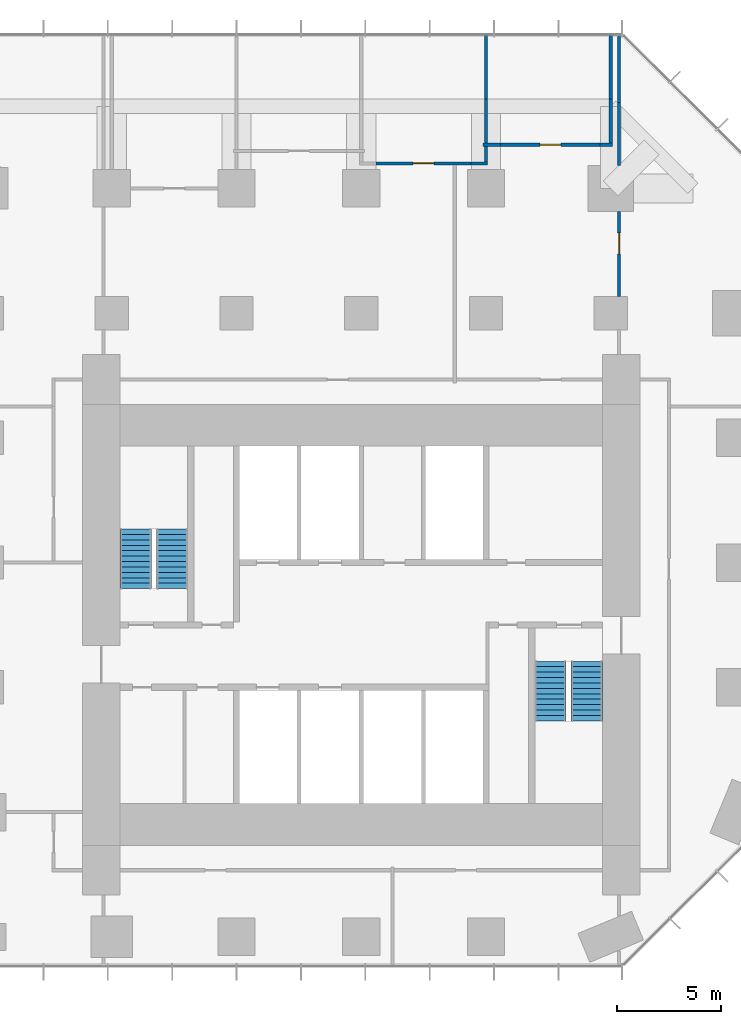
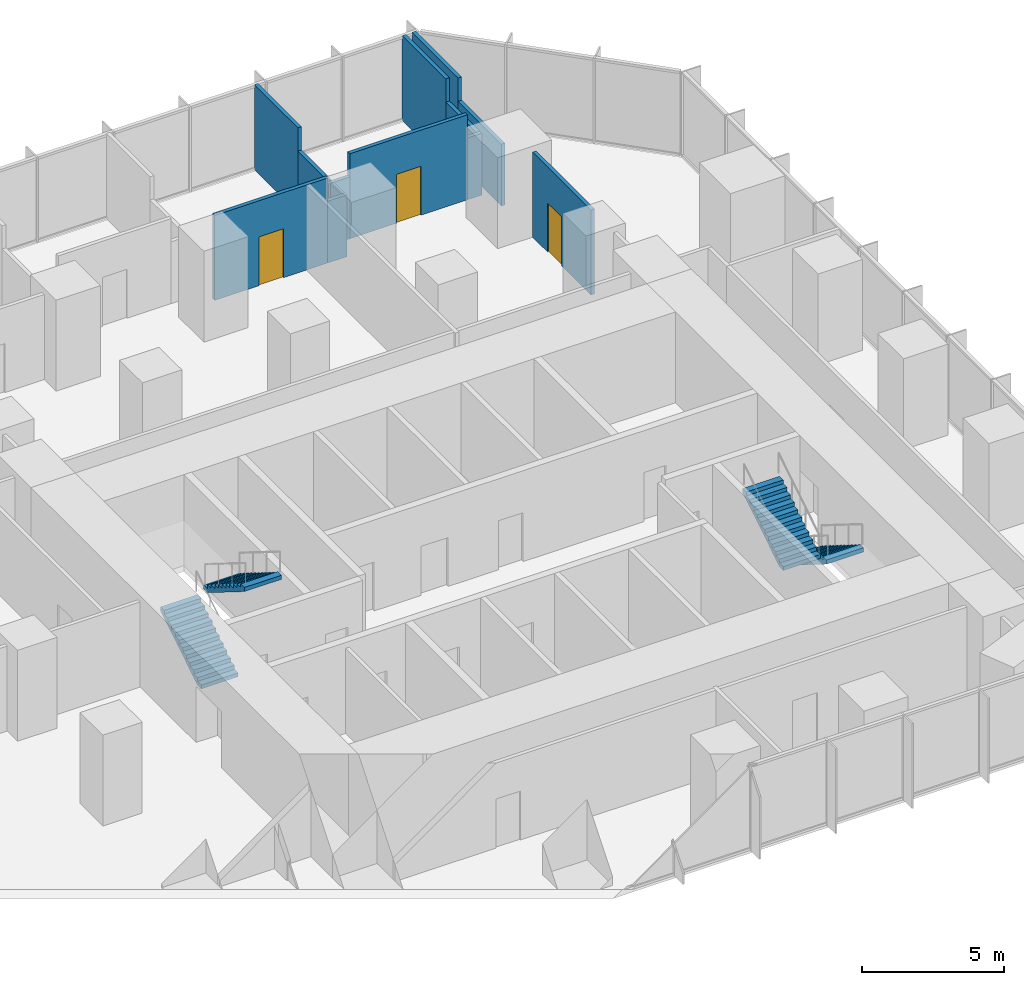
# One storey, part 10 of 11: 13 walls, 4 stair flights, 3 doors, 3 openings, 2 elements without a shape of their own.
"""IFC4 building model written with IfcOpenShell, lengths in metres."""

import ifcopenshell
import ifcopenshell.guid

model = None  # the IFC model being written
_history = None  # IfcOwnerHistory: only IFC2X3 demands one
_inside = {}  # id of a spatial element -> (the spatial element, [elements in it])
_under = {}  # id of a project, library or spatial element -> (it, [spatial elements below it])
_declared = {}  # id of a project -> (the project, [libraries it declares])
_typed = {}  # id of a type object -> (the type object, [elements of that type])
_made_of = {}  # id of a material, layer set ... -> (it, [elements and type objects made of it])


def new_model(schema):
    """Start an empty IFC model of exactly this schema.

    Asked for "IFC4X3", IfcOpenShell would pick the latest addendum, in which some entities
    have other attributes; the version numbers below select the first issue.
    IFC2X3 requires an IfcOwnerHistory on every rooted entity: one is made here for all.
    """
    global model, _history
    if schema == "IFC4X3":
        model = ifcopenshell.file(schema_version=(4, 3, 0, 0))
    else:
        model = ifcopenshell.file(schema=schema)
    _inside.clear()
    _under.clear()
    _declared.clear()
    _typed.clear()
    _made_of.clear()
    _history = None
    if model.schema == "IFC2X3":
        org = make("IfcOrganization", Name="unknown")
        user = make(
            "IfcPersonAndOrganization",
            ThePerson=make("IfcPerson", FamilyName="unknown"),
            TheOrganization=org,
        )
        app = make(
            "IfcApplication",
            ApplicationDeveloper=org,
            Version="unknown",
            ApplicationFullName="unknown",
            ApplicationIdentifier="unknown",
        )
        _history = make(
            "IfcOwnerHistory",
            OwningUser=user,
            OwningApplication=app,
            ChangeAction="ADDED",
            CreationDate=0,
        )
    return model


def make(cls, **values):
    """One entity of the class cls with the attributes given. An attribute that is None is left unset."""
    return model.create_entity(
        cls, **{name: value for name, value in values.items() if value is not None}
    )


def rooted(cls, **values):
    """An entity with a GlobalId (a new one), such as an element, a storey or a relation."""
    return make(cls, GlobalId=ifcopenshell.guid.new(), OwnerHistory=_history, **values)


def si_unit(unit_type, name, prefix=None):
    """IfcSIUnit, for example si_unit("LENGTHUNIT", "METRE", prefix="MILLI")."""
    return make("IfcSIUnit", UnitType=unit_type, Prefix=prefix, Name=name)


def assignment(units):
    """IfcUnitAssignment: the units of a project."""
    return None if units is None else make("IfcUnitAssignment", Units=units)


def point(xyz):
    """IfcCartesianPoint."""
    return None if xyz is None else make("IfcCartesianPoint", Coordinates=xyz)


def direction(xyz):
    """IfcDirection."""
    return None if xyz is None else make("IfcDirection", DirectionRatios=xyz)


def frame(location, z_axis=None, x_axis=None):
    """IfcAxis2Placement3D, a coordinate frame: its origin and axes. An axis left out is left unset."""
    return make(
        "IfcAxis2Placement3D",
        Location=point(location),
        Axis=direction(z_axis),
        RefDirection=direction(x_axis),
    )


def frame_2d(location, x_axis=None):
    """IfcAxis2Placement2D, a coordinate frame in the plane: its origin and x axis."""
    return make(
        "IfcAxis2Placement2D", Location=point(location), RefDirection=direction(x_axis)
    )


def origin():
    """The frame at (0, 0, 0) with its axes left unset."""
    return frame((0.0, 0.0, 0.0))


def place(relative_to, where):
    """IfcLocalPlacement: puts the frame where relative to a parent placement (None: the world)."""
    return make(
        "IfcLocalPlacement", PlacementRelTo=relative_to, RelativePlacement=where
    )


def context(
    kind, dimensions, precision=None, world=None, true_north=None, identifier=None
):
    """IfcGeometricRepresentationContext, for example the 3D "Model" context."""
    return make(
        "IfcGeometricRepresentationContext",
        ContextIdentifier=identifier,
        ContextType=kind,
        CoordinateSpaceDimension=dimensions,
        Precision=precision,
        WorldCoordinateSystem=world,
        TrueNorth=true_north,
    )


def subcontext(parent, identifier, kind, view, scale=None):
    """IfcGeometricRepresentationSubContext, for example "Body" below "Model"."""
    return make(
        "IfcGeometricRepresentationSubContext",
        ContextIdentifier=identifier,
        ContextType=kind,
        ParentContext=parent,
        TargetScale=scale,
        TargetView=view,
    )


def project(units=None, contexts=None):
    """IfcProject with its units and contexts."""
    return rooted(
        "IfcProject",
        Name="project",
        RepresentationContexts=contexts,
        UnitsInContext=assignment(units),
    )


def spatial(cls, under=None, at=None, **own):
    """A site, building, storey or space (cls), placed at a placement, below another one or the project."""
    s = rooted(cls, ObjectPlacement=at, **own)
    if under is not None:
        _under.setdefault(under.id(), (under, []))[1].append(s)
    return s


def polyline(points):
    """IfcPolyline through the points."""
    return make("IfcPolyline", Points=[point(p) for p in points])


def profile(cls, at=None, kind="AREA", **sizes):
    """A parametric profile (cls). Its sizes go by their IFC names, for example OverallWidth=200.0."""
    return make(cls, ProfileType=kind, Position=at, **sizes)


def rectangle(**sizes):
    """IfcRectangleProfileDef."""
    return profile("IfcRectangleProfileDef", **sizes)


def outline(outer, holes=None, kind="AREA"):
    """IfcArbitraryClosedProfileDef: a profile drawn as a closed curve; with holes, ...WithVoids."""
    if holes is None:
        return make("IfcArbitraryClosedProfileDef", ProfileType=kind, OuterCurve=outer)
    return make(
        "IfcArbitraryProfileDefWithVoids",
        ProfileType=kind,
        OuterCurve=outer,
        InnerCurves=holes,
    )


def extrude(swept, where, along, depth):
    """IfcExtrudedAreaSolid: the profile swept, set in the frame where, extruded along a direction by depth."""
    return make(
        "IfcExtrudedAreaSolid",
        SweptArea=swept,
        Position=where,
        ExtrudedDirection=direction(along),
        Depth=depth,
    )


def shape(context_of_items, identifier, shape_type, items):
    """IfcShapeRepresentation: the items that make up one representation, for example the "Body"."""
    return make(
        "IfcShapeRepresentation",
        ContextOfItems=context_of_items,
        RepresentationIdentifier=identifier,
        RepresentationType=shape_type,
        Items=items,
    )


def material(Name=None, Category=None):
    """IfcMaterial."""
    return make("IfcMaterial", Name=Name, Category=Category)


def layer(
    of_material, thickness, ventilated=None, Name=None, Category=None, Priority=None
):
    """IfcMaterialLayer: one layer of a wall or slab, of a material (None: an air gap)."""
    return make(
        "IfcMaterialLayer",
        Material=of_material,
        LayerThickness=thickness,
        IsVentilated=ventilated,
        Name=Name,
        Category=Category,
        Priority=Priority,
    )


def layer_set(layers, Name=None):
    """IfcMaterialLayerSet."""
    return make("IfcMaterialLayerSet", MaterialLayers=layers, LayerSetName=Name)


def made_of(thing, what):
    """Note that an element or type object is made of a material, layer set ...; save() writes the relation."""
    if what is not None:
        _made_of.setdefault(what.id(), (what, []))[1].append(thing)
    return thing


def type_object(cls, material=None, **own):
    """A type object (cls), such as IfcWallType, which elements share."""
    return made_of(rooted(cls, **own), material)


def element(
    cls,
    number,
    at=None,
    inside=None,
    cuts=None,
    type_object=None,
    material=None,
    context=None,
    identifier="Body",
    shape_type=None,
    held_by="IfcProductDefinitionShape",
    body=None,
    shapes=None,
    **own,
):
    """One element of the class cls, such as IfcWall. Its Tag is "e" and its number.

    at: its placement. inside: the storey or other place that contains it. cuts: it is an
    opening in that element (IfcRelVoidsElement). A single representation is given by context,
    identifier, shape_type and body (its items); several are given by shapes. held_by: the class
    of the entity that holds the representations. save() writes the other relations.
    """
    e = rooted(cls, Tag="e%d" % number, ObjectPlacement=at, **own)
    if body is not None:
        shapes = [shape(context, identifier, shape_type, body)]
    if shapes is not None:
        e.Representation = make(held_by, Representations=shapes)
    if inside is not None:
        _inside.setdefault(inside.id(), (inside, []))[1].append(e)
    if cuts is not None:
        rooted(
            "IfcRelVoidsElement", RelatingBuildingElement=cuts, RelatedOpeningElement=e
        )
    if type_object is not None:
        _typed.setdefault(type_object.id(), (type_object, []))[1].append(e)
    return made_of(e, material)


def fill(opening, filler):
    """IfcRelFillsElement: the door or window that sits in an opening."""
    return rooted(
        "IfcRelFillsElement",
        RelatingOpeningElement=opening,
        RelatedBuildingElement=filler,
    )


def aggregate(whole, parts):
    """IfcRelAggregates: a whole, such as a stair, and the parts it consists of."""
    return rooted("IfcRelAggregates", RelatingObject=whole, RelatedObjects=parts)


def save(model, path):
    """Write the relations noted so far, then the file.

    IfcRelAggregates (storeys below a building ...), IfcRelContainedInSpatialStructure (elements
    in a storey), IfcRelDefinesByType, IfcRelAssociatesMaterial and IfcRelDeclares: one each for
    every whole, place, type object, material and project.
    """
    for whole, parts in _under.values():
        aggregate(whole, parts)
    for where, things in _inside.values():
        rooted(
            "IfcRelContainedInSpatialStructure",
            RelatedElements=things,
            RelatingStructure=where,
        )
    for kind, things in _typed.values():
        rooted("IfcRelDefinesByType", RelatedObjects=things, RelatingType=kind)
    for what, things in _made_of.values():
        rooted("IfcRelAssociatesMaterial", RelatedObjects=things, RelatingMaterial=what)
    for by, libraries in _declared.values():
        rooted("IfcRelDeclares", RelatingContext=by, RelatedDefinitions=libraries)
    model.write(path)


model = new_model("IFC4")

# Units and contexts
model_context = context("Model", 3, precision=1e-05, world=origin(), true_north=direction((0.0, 1.0)))
body_context = subcontext(model_context, "Body", "Model", "MODEL_VIEW")
ifc_project = project(units=[si_unit("LENGTHUNIT", "METRE"), si_unit("AREAUNIT", "SQUARE_METRE"), si_unit("VOLUMEUNIT", "CUBIC_METRE"), si_unit("PLANEANGLEUNIT", "RADIAN"), si_unit("MASSUNIT", "GRAM", prefix="KILO")], contexts=[model_context])

# Site, building, storey
site_placement = place(None, origin())
site = spatial("IfcSite", under=ifc_project, at=site_placement, CompositionType="ELEMENT")
building_placement = place(site_placement, origin())
building = spatial("IfcBuilding", under=site, at=building_placement, Name="Highveld Stack Headquarters", CompositionType="ELEMENT")
storey_placement = place(building_placement, frame((0.0, 0.0, 93.800048828125)))
storey = spatial("IfcBuildingStorey", under=building, at=storey_placement, Name="L22", CompositionType="ELEMENT", Elevation=93.800048828125)

# Wall, opening, door
ifc_material_1 = material(Name="Gypsum plasterboard on steel studs", Category="steel")
ifc_layer = layer(ifc_material_1, 0.14990234375)
ifc_layer_set = layer_set([ifc_layer], Name="Gypsum plasterboard on steel studs")
wall_type = type_object("IfcWallType", Name="PARTITION 150 PLASTERBOARD", PredefinedType="PARTITIONING", material=ifc_layer_set)
wall_1_placement = place(storey_placement, frame((6.7099609375, 25.199951171875, 0.0), z_axis=(0.0, 0.0, 1.0), x_axis=(1.0, 0.0, 0.0)))
wall_1 = element("IfcWall", 1, at=wall_1_placement, inside=storey, type_object=wall_type, Name="Partition Tea kitchen L22", PredefinedType="PARTITIONING", context=body_context, shape_type="SweptSolid", body=[
    extrude(rectangle(XDim=4.580078125, YDim=0.14990234375, at=frame_2d((2.2900390625, 0.0))), origin(), (0.0, 0.0, 1.0), 3.64990234375),
])
opening_1_placement = place(wall_1_placement, frame((1.7900390625, 0.0, 0.0)))
opening_1 = element("IfcOpeningElement", 2, at=opening_1_placement, cuts=wall_1, Name="Opening L22-15", PredefinedType="OPENING", context=body_context, shape_type="SweptSolid", body=[
    extrude(rectangle(XDim=1.0, YDim=2.10009765625, at=frame_2d((0.5, 1.050048828125))), frame((0.0, 0.0849609375, 0.0), z_axis=(0.0, -1.0, 0.0), x_axis=(1.0, 0.0, 0.0)), (0.0, 0.0, 1.0), 0.169921875),
])
ifc_material_2 = material(Name="Timber door, oiled ash", Category="wood")
door_type = type_object("IfcDoorType", Name="ROOM DOOR D6 1000x2100", OperationType="SINGLE_SWING_LEFT", PredefinedType="DOOR", material=ifc_material_2)
door_1_placement = place(opening_1_placement, origin())
door_1 = element("IfcDoor", 3, at=door_1_placement, inside=storey, type_object=door_type, Name="Tea kitchen door 1 L22", OperationType="SINGLE_SWING_LEFT", OverallHeight=2.10009765625, OverallWidth=1.0, PredefinedType="DOOR", context=body_context, shape_type="SweptSolid", body=[
    extrude(rectangle(XDim=1.0, YDim=2.10009765625, at=frame_2d((0.5, 1.050048828125))), frame((0.0, 0.02490234375, 0.0), z_axis=(0.0, -1.0, 0.0), x_axis=(1.0, 0.0, 0.0)), (0.0, 0.0, 1.0), 0.050048828125),
])
fill(opening_1, door_1)

# Walls
wall_2_placement = place(storey_placement, frame((11.2900390625, 25.199951171875, 0.0), z_axis=(0.0, 0.0, 1.0), x_axis=(1.0, 0.0, 0.0)))
element("IfcWall", 4, at=wall_2_placement, inside=storey, type_object=wall_type, Name="Partition Tea kitchen L22", PredefinedType="PARTITIONING", context=body_context, shape_type="SweptSolid", body=[
    extrude(rectangle(XDim=0.784912109375, YDim=0.14990234375, at=frame_2d((0.392578125, 0.0))), origin(), (0.0, 0.0, 1.0), 2.64990234375),
])
wall_3_placement = place(storey_placement, frame((11.85009765625, 26.10009765625, 0.0), z_axis=(0.0, 0.0, 1.0), x_axis=(1.0, 0.0, 0.0)))
element("IfcWall", 5, at=wall_3_placement, inside=storey, type_object=wall_type, Name="Partition Focus room L22", PredefinedType="PARTITIONING", context=body_context, shape_type="SweptSolid", body=[
    extrude(rectangle(XDim=0.85986328125, YDim=0.14990234375, at=frame_2d((0.429931640625, 0.0))), origin(), (0.0, 0.0, 1.0), 2.64990234375),
])

# Wall, opening, door
wall_4_placement = place(storey_placement, frame((12.7099609375, 26.10009765625, 0.0), z_axis=(0.0, 0.0, 1.0), x_axis=(1.0, 0.0, 0.0)))
wall_4 = element("IfcWall", 6, at=wall_4_placement, inside=storey, type_object=wall_type, Name="Partition Focus room L22", PredefinedType="PARTITIONING", context=body_context, shape_type="SweptSolid", body=[
    extrude(rectangle(XDim=4.780029296875, YDim=0.14990234375, at=frame_2d((2.39013671875, 0.0))), origin(), (0.0, 0.0, 1.0), 3.64990234375),
])
opening_2_placement = place(wall_4_placement, frame((1.889892578125, 0.0, 0.0)))
opening_2 = element("IfcOpeningElement", 7, at=opening_2_placement, cuts=wall_4, Name="Opening L22-16", PredefinedType="OPENING", context=body_context, shape_type="SweptSolid", body=[
    extrude(rectangle(XDim=1.0, YDim=2.10009765625, at=frame_2d((0.5, 1.050048828125))), frame((0.0, 0.0849609375, 0.0), z_axis=(0.0, -1.0, 0.0), x_axis=(1.0, 0.0, 0.0)), (0.0, 0.0, 1.0), 0.169921875),
])
door_2_placement = place(opening_2_placement, origin())
door_2 = element("IfcDoor", 8, at=door_2_placement, inside=storey, type_object=door_type, Name="Focus room door 1 L22", OperationType="SINGLE_SWING_RIGHT", OverallHeight=2.10009765625, OverallWidth=1.0, PredefinedType="DOOR", context=body_context, shape_type="SweptSolid", body=[
    extrude(rectangle(XDim=1.0, YDim=2.10009765625, at=frame_2d((0.5, 1.050048828125))), frame((0.0, 0.02490234375, 0.0), z_axis=(0.0, -1.0, 0.0), x_axis=(1.0, 0.0, 0.0)), (0.0, 0.0, 1.0), 0.050048828125),
])
fill(opening_2, door_2)

# Walls
wall_5_placement = place(storey_placement, frame((17.489990234375, 26.10009765625, 0.0), z_axis=(0.0, 0.0, 1.0), x_axis=(1.0, 0.0, 0.0)))
element("IfcWall", 9, at=wall_5_placement, inside=storey, type_object=wall_type, Name="Partition Focus room L22", PredefinedType="PARTITIONING", context=body_context, shape_type="SweptSolid", body=[
    extrude(rectangle(XDim=0.5849609375, YDim=0.14990234375, at=frame_2d((0.29248046875, 0.0))), origin(), (0.0, 0.0, 1.0), 2.64990234375),
])
wall_6_placement = place(storey_placement, frame((12.0, 25.27490234375, 0.0), z_axis=(0.0, 0.0, 1.0), x_axis=(0.0, 1.0, 0.0)))
element("IfcWall", 10, at=wall_6_placement, inside=storey, type_object=wall_type, Name="Partition Tea kitchen L22", PredefinedType="PARTITIONING", context=body_context, shape_type="SweptSolid", body=[
    extrude(rectangle(XDim=0.75, YDim=0.14990234375, at=frame_2d((0.375, 0.0))), origin(), (0.0, 0.0, 1.0), 2.64990234375),
])
wall_7_placement = place(storey_placement, frame((12.0, 26.175048828125, 0.0), z_axis=(0.0, 0.0, 1.0), x_axis=(0.0, 1.0, 0.0)))
element("IfcWall", 11, at=wall_7_placement, inside=storey, type_object=wall_type, Name="Partition Focus room / Tea kitchen L22", PredefinedType="PARTITIONING", context=body_context, shape_type="SweptSolid", body=[
    extrude(rectangle(XDim=2.135009765625, YDim=0.14990234375, at=frame_2d((1.0673828125, 0.0))), origin(), (0.0, 0.0, 1.0), 2.64990234375),
])
wall_8_placement = place(storey_placement, frame((12.0, 28.31005859375, 0.0), z_axis=(0.0, 0.0, 1.0), x_axis=(0.0, 1.0, 0.0)))
element("IfcWall", 12, at=wall_8_placement, inside=storey, type_object=wall_type, Name="Partition Focus room / Tea kitchen L22", PredefinedType="PARTITIONING", context=body_context, shape_type="SweptSolid", body=[
    extrude(rectangle(XDim=3.06494140625, YDim=0.14990234375, at=frame_2d((1.532470703125, 0.0))), origin(), (0.0, 0.0, 1.0), 3.64990234375),
])
wall_9_placement = place(storey_placement, frame((18.0, 26.175048828125, 0.0), z_axis=(0.0, 0.0, 1.0), x_axis=(0.0, 1.0, 0.0)))
element("IfcWall", 13, at=wall_9_placement, inside=storey, type_object=wall_type, Name="Partition Focus room L22", PredefinedType="PARTITIONING", context=body_context, shape_type="SweptSolid", body=[
    extrude(rectangle(XDim=2.135009765625, YDim=0.14990234375, at=frame_2d((1.0673828125, 0.0))), origin(), (0.0, 0.0, 1.0), 2.64990234375),
])
wall_10_placement = place(storey_placement, frame((18.0, 28.31005859375, 0.0), z_axis=(0.0, 0.0, 1.0), x_axis=(0.0, 1.0, 0.0)))
element("IfcWall", 14, at=wall_10_placement, inside=storey, type_object=wall_type, Name="Partition Focus room L22", PredefinedType="PARTITIONING", context=body_context, shape_type="SweptSolid", body=[
    extrude(rectangle(XDim=3.06494140625, YDim=0.14990234375, at=frame_2d((1.532470703125, 0.0))), origin(), (0.0, 0.0, 1.0), 3.64990234375),
])

# Wall, opening, door
wall_11_placement = place(storey_placement, frame((18.39990234375, 18.800048828125, 0.0), z_axis=(0.0, 0.0, 1.0), x_axis=(0.0, 1.0, 0.0)))
wall_11 = element("IfcWall", 15, at=wall_11_placement, inside=storey, type_object=wall_type, Name="Partition office neighbourhood L22", PredefinedType="PARTITIONING", context=body_context, shape_type="SweptSolid", body=[
    extrude(rectangle(XDim=4.099853515625, YDim=0.14990234375, at=frame_2d((2.0498046875, 0.0))), origin(), (0.0, 0.0, 1.0), 3.64990234375),
])
opening_3_placement = place(wall_11_placement, frame((2.054931640625, 0.0, 0.0)))
opening_3 = element("IfcOpeningElement", 16, at=opening_3_placement, cuts=wall_11, Name="Opening L22-24", PredefinedType="OPENING", context=body_context, shape_type="SweptSolid", body=[
    extrude(rectangle(XDim=1.0, YDim=2.10009765625, at=frame_2d((0.5, 1.050048828125))), frame((0.0, 0.0849609375, 0.0), z_axis=(0.0, -1.0, 0.0), x_axis=(1.0, 0.0, 0.0)), (0.0, 0.0, 1.0), 0.169921875),
])
door_3_placement = place(opening_3_placement, origin())
door_3 = element("IfcDoor", 17, at=door_3_placement, inside=storey, type_object=door_type, Name="Office neighbourhood door L22", OperationType="SINGLE_SWING_RIGHT", OverallHeight=2.10009765625, OverallWidth=1.0, PredefinedType="DOOR", context=body_context, shape_type="SweptSolid", body=[
    extrude(rectangle(XDim=1.0, YDim=2.10009765625, at=frame_2d((0.5, 1.050048828125))), frame((0.0, 0.02490234375, 0.0), z_axis=(0.0, -1.0, 0.0), x_axis=(1.0, 0.0, 0.0)), (0.0, 0.0, 1.0), 0.050048828125),
])
fill(opening_3, door_3)

# Walls
wall_12_placement = place(storey_placement, frame((18.39990234375, 25.10009765625, 0.0), z_axis=(0.0, 0.0, 1.0), x_axis=(0.0, 1.0, 0.0)))
element("IfcWall", 18, at=wall_12_placement, inside=storey, type_object=wall_type, Name="Partition office neighbourhood L22", PredefinedType="PARTITIONING", context=body_context, shape_type="SweptSolid", body=[
    extrude(rectangle(XDim=3.039794921875, YDim=0.14990234375, at=frame_2d((1.52001953125, 0.0))), origin(), (0.0, 0.0, 1.0), 2.64990234375),
])
wall_13_placement = place(storey_placement, frame((18.39990234375, 28.139892578125, 0.0), z_axis=(0.0, 0.0, 1.0), x_axis=(0.0, 1.0, 0.0)))
element("IfcWall", 19, at=wall_13_placement, inside=storey, type_object=wall_type, Name="Partition office neighbourhood L22", PredefinedType="PARTITIONING", context=body_context, shape_type="SweptSolid", body=[
    extrude(rectangle(XDim=3.235107421875, YDim=0.14990234375, at=frame_2d((1.61767578125, 0.0))), origin(), (0.0, 0.0, 1.0), 3.64990234375),
])

# Stair, stair flights
ifc_material_3 = material(Name="Concrete C40/50, precast", Category="concrete")
stair_type_1 = type_object("IfcStairType", Name="STAIR S1 HALF TURN 1500", PredefinedType="HALF_TURN_STAIR", material=ifc_material_3)
stair_1_placement = place(storey_placement, origin())
stair_1 = element("IfcStair", 20, at=stair_1_placement, inside=storey, type_object=stair_type_1, Name="Stair S1 L22", PredefinedType="HALF_TURN_STAIR")
ifc_material_4 = material(Name="Concrete C40/50, precast", Category="concrete")
stair_flight_type = type_object("IfcStairFlightType", Name="STAIR FLIGHT 1500 PRECAST", PredefinedType="STRAIGHT", material=ifc_material_4)
stair_flight_1_placement = place(storey_placement, frame((-4.85009765625, 4.75, 0.0), z_axis=(0.0, 0.0, 1.0), x_axis=(0.0, 1.0, 0.0)))
stair_flight_1 = element("IfcStairFlight", 21, at=stair_flight_1_placement, type_object=stair_flight_type, Name="S1 flight 1", NumberOfRisers=12, NumberOfTreads=11, PredefinedType="STRAIGHT", RiserHeight=0.1625, TreadLength=0.26, context=body_context, shape_type="SweptSolid", body=[
    extrude(outline(polyline([(0.0, 0.0), (0.0, 0.16259765625), (0.260009765625, 0.16259765625), (0.260009765625, 0.324951171875), (0.52001953125, 0.324951171875), (0.52001953125, 0.487548828125), (0.780029296875, 0.487548828125), (0.780029296875, 0.64990234375), (1.0400390625, 0.64990234375), (1.0400390625, 0.8125), (1.300048828125, 0.8125), (1.300048828125, 0.97509765625), (1.56005859375, 0.97509765625), (1.56005859375, 1.137451171875), (1.820068359375, 1.137451171875), (1.820068359375, 1.300048828125), (2.080078125, 1.300048828125), (2.080078125, 1.46240234375), (2.340087890625, 1.46240234375), (2.340087890625, 1.625), (2.60009765625, 1.625), (2.60009765625, 1.78759765625), (2.860107421875, 1.78759765625), (2.860107421875, 1.949951171875), (2.860107421875, 1.61083984375), (0.28271484375, 0.0), (0.0, 0.0)])), frame((0.0, 0.75, 0.0), z_axis=(0.0, -1.0, 0.0), x_axis=(1.0, 0.0, 0.0)), (0.0, 0.0, 1.0), 1.5),
])
stair_flight_2_placement = place(storey_placement, frame((-3.10009765625, 7.610107421875, 1.949951171875), z_axis=(0.0, 0.0, 1.0), x_axis=(0.0, -1.0, 0.0)))
stair_flight_2 = element("IfcStairFlight", 22, at=stair_flight_2_placement, type_object=stair_flight_type, Name="S1 flight 2", NumberOfRisers=12, NumberOfTreads=11, PredefinedType="STRAIGHT", RiserHeight=0.1625, TreadLength=0.26, context=body_context, shape_type="SweptSolid", body=[
    extrude(outline(polyline([(0.0, 0.0), (0.0, 0.16259765625), (0.260009765625, 0.16259765625), (0.260009765625, 0.324951171875), (0.52001953125, 0.324951171875), (0.52001953125, 0.487548828125), (0.780029296875, 0.487548828125), (0.780029296875, 0.64990234375), (1.0400390625, 0.64990234375), (1.0400390625, 0.8125), (1.300048828125, 0.8125), (1.300048828125, 0.97509765625), (1.56005859375, 0.97509765625), (1.56005859375, 1.137451171875), (1.820068359375, 1.137451171875), (1.820068359375, 1.300048828125), (2.080078125, 1.300048828125), (2.080078125, 1.46240234375), (2.340087890625, 1.46240234375), (2.340087890625, 1.625), (2.60009765625, 1.625), (2.60009765625, 1.78759765625), (2.860107421875, 1.78759765625), (2.860107421875, 1.949951171875), (2.860107421875, 1.61083984375), (0.28271484375, 0.0), (0.0, 0.0)])), frame((0.0, 0.75, 0.0), z_axis=(0.0, -1.0, 0.0), x_axis=(1.0, 0.0, 0.0)), (0.0, 0.0, 1.0), 1.5),
])
aggregate(stair_1, [stair_flight_1, stair_flight_2])

ifc_material_5 = material(Name="Concrete C40/50, precast", Category="concrete")
stair_type_2 = type_object("IfcStairType", Name="STAIR S2 HALF TURN 1500", PredefinedType="HALF_TURN_STAIR", material=ifc_material_5)
stair_2_placement = place(storey_placement, origin())
stair_2 = element("IfcStair", 23, at=stair_2_placement, inside=storey, type_object=stair_type_2, Name="Stair S2 L22", PredefinedType="HALF_TURN_STAIR")
stair_flight_3_placement = place(storey_placement, frame((16.85009765625, 1.25, 0.0), z_axis=(0.0, 0.0, 1.0), x_axis=(0.0, -1.0, 0.0)))
stair_flight_3 = element("IfcStairFlight", 24, at=stair_flight_3_placement, type_object=stair_flight_type, Name="S2 flight 1", NumberOfRisers=12, NumberOfTreads=11, PredefinedType="STRAIGHT", RiserHeight=0.1625, TreadLength=0.26, context=body_context, shape_type="SweptSolid", body=[
    extrude(outline(polyline([(0.0, 0.0), (0.0, 0.16259765625), (0.260009765625, 0.16259765625), (0.260009765625, 0.324951171875), (0.52001953125, 0.324951171875), (0.52001953125, 0.487548828125), (0.780029296875, 0.487548828125), (0.780029296875, 0.64990234375), (1.0400390625, 0.64990234375), (1.0400390625, 0.8125), (1.300048828125, 0.8125), (1.300048828125, 0.97509765625), (1.56005859375, 0.97509765625), (1.56005859375, 1.137451171875), (1.820068359375, 1.137451171875), (1.820068359375, 1.300048828125), (2.080078125, 1.300048828125), (2.080078125, 1.46240234375), (2.340087890625, 1.46240234375), (2.340087890625, 1.625), (2.60009765625, 1.625), (2.60009765625, 1.78759765625), (2.860107421875, 1.78759765625), (2.860107421875, 1.949951171875), (2.860107421875, 1.61083984375), (0.28271484375, 0.0), (0.0, 0.0)])), frame((0.0, 0.75, 0.0), z_axis=(0.0, -1.0, 0.0), x_axis=(1.0, 0.0, 0.0)), (0.0, 0.0, 1.0), 1.5),
])
stair_flight_4_placement = place(storey_placement, frame((15.10009765625, -1.610107421875, 1.949951171875), z_axis=(0.0, 0.0, 1.0), x_axis=(0.0, 1.0, 0.0)))
stair_flight_4 = element("IfcStairFlight", 25, at=stair_flight_4_placement, type_object=stair_flight_type, Name="S2 flight 2", NumberOfRisers=12, NumberOfTreads=11, PredefinedType="STRAIGHT", RiserHeight=0.1625, TreadLength=0.26, context=body_context, shape_type="SweptSolid", body=[
    extrude(outline(polyline([(0.0, 0.0), (0.0, 0.16259765625), (0.260009765625, 0.16259765625), (0.260009765625, 0.324951171875), (0.52001953125, 0.324951171875), (0.52001953125, 0.487548828125), (0.780029296875, 0.487548828125), (0.780029296875, 0.64990234375), (1.0400390625, 0.64990234375), (1.0400390625, 0.8125), (1.300048828125, 0.8125), (1.300048828125, 0.97509765625), (1.56005859375, 0.97509765625), (1.56005859375, 1.137451171875), (1.820068359375, 1.137451171875), (1.820068359375, 1.300048828125), (2.080078125, 1.300048828125), (2.080078125, 1.46240234375), (2.340087890625, 1.46240234375), (2.340087890625, 1.625), (2.60009765625, 1.625), (2.60009765625, 1.78759765625), (2.860107421875, 1.78759765625), (2.860107421875, 1.949951171875), (2.860107421875, 1.61083984375), (0.28271484375, 0.0), (0.0, 0.0)])), frame((0.0, 0.75, 0.0), z_axis=(0.0, -1.0, 0.0), x_axis=(1.0, 0.0, 0.0)), (0.0, 0.0, 1.0), 1.5),
])
aggregate(stair_2, [stair_flight_3, stair_flight_4])

save(model, "model.ifc")
